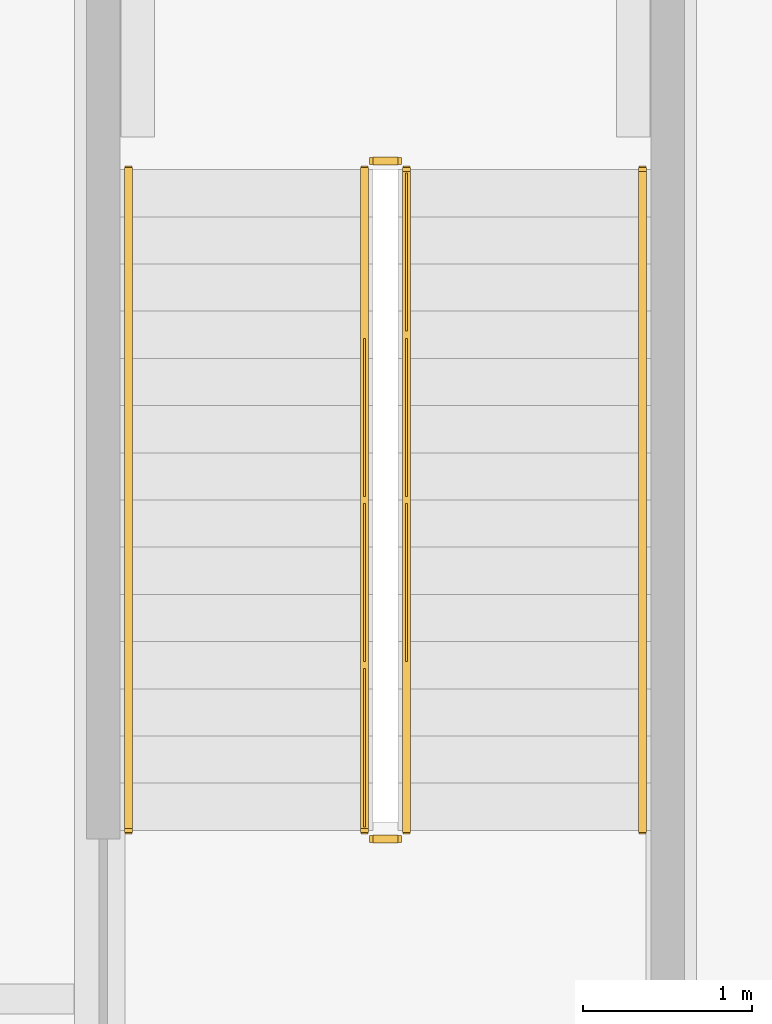
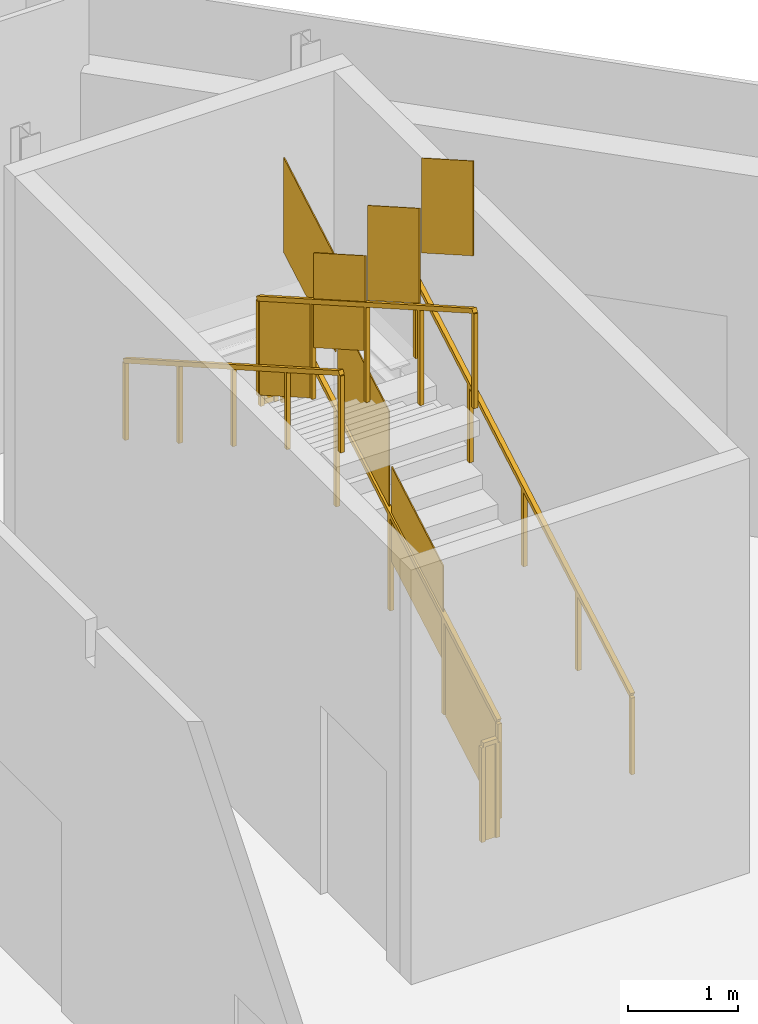
# One storey, part 26 of 26: 6 railings.
"""IFC4 building model written with IfcOpenShell, lengths in metres."""

from ifc_helpers import new_model, si_unit, direction, frame, origin, origin_2d, place, context, subcontext, project, spatial, polyline, rectangle, outline, extrude, material, type_object, element, save


model = new_model("IFC4")

# Units and contexts
model_context = context("Model", 3, precision=1e-05, world=origin(), true_north=direction((0.0, 1.0)))
body_context = subcontext(model_context, "Body", "Model", "MODEL_VIEW")
ifc_project = project(units=[si_unit("LENGTHUNIT", "METRE"), si_unit("AREAUNIT", "SQUARE_METRE"), si_unit("VOLUMEUNIT", "CUBIC_METRE"), si_unit("PLANEANGLEUNIT", "RADIAN"), si_unit("MASSUNIT", "GRAM", prefix="KILO")], contexts=[model_context])

# Site, building, storey
site_placement = place(None, origin())
site = spatial("IfcSite", under=ifc_project, at=site_placement, CompositionType="ELEMENT")
building_placement = place(site_placement, origin())
building = spatial("IfcBuilding", under=site, at=building_placement, Name="Cairn Pilgrim Tower", CompositionType="ELEMENT")
storey_placement = place(building_placement, frame((0.0, 0.0, 21.0)))
storey = spatial("IfcBuildingStorey", under=building, at=storey_placement, Name="L03", CompositionType="ELEMENT", Elevation=21.0)

# Railings
ifc_material = material(Name="Painted steel", Category="steel")
railing_type_1 = type_object("IfcRailingType", Name="PODIUM STAIR GUARD 1100", PredefinedType="GUARDRAIL", material=ifc_material)
railing_1_placement = place(storey_placement, frame((32.699951171875, 20.199951171875, 0.159912109375)))
element("IfcRailing", 1, at=railing_1_placement, inside=storey, type_object=railing_type_1, Name="L03 ST-ES4 stair guard 1", PredefinedType="GUARDRAIL", context=body_context, shape_type="SweptSolid", body=[
    extrude(rectangle(XDim=0.048095703125, YDim=0.048095703125, at=origin_2d()), frame((0.0, 0.0, 1.076171875), z_axis=(0.0, 0.86825312469, 0.496121468458), x_axis=(-1.0, 0.0, 0.0)), (0.0, 0.0, 1.0), 4.514892578125),
    extrude(rectangle(XDim=0.0419921875, YDim=0.0419921875, at=origin_2d()), origin(), (0.0, 0.0, 1.0), 1.052001953125),
    extrude(rectangle(XDim=0.0419921875, YDim=0.0419921875, at=origin_2d()), frame((0.0, 0.97998046875, 0.56005859375)), (0.0, 0.0, 1.0), 1.052001953125),
    extrude(rectangle(XDim=0.0419921875, YDim=0.0419921875, at=origin_2d()), frame((0.0, 1.9599609375, 1.1201171875)), (0.0, 0.0, 1.0), 1.052001953125),
    extrude(rectangle(XDim=0.0419921875, YDim=0.0419921875, at=origin_2d()), frame((0.0, 2.940185546875, 1.679931640625)), (0.0, 0.0, 1.0), 1.052001953125),
    extrude(rectangle(XDim=0.0419921875, YDim=0.0419921875, at=origin_2d()), frame((0.0, 3.920166015625, 2.239990234375)), (0.0, 0.0, 1.0), 1.052001953125),
    extrude(outline(polyline([(0.02099609375, 0.011962890625), (0.958984375, 0.548095703125), (0.958984375, 1.60009765625), (0.02099609375, 1.06396484375), (0.02099609375, 0.011962890625)])), frame((-0.005859375, 0.0, 0.0), z_axis=(1.0, 0.0, 0.0), x_axis=(0.0, 1.0, 0.0)), (0.0, 0.0, 1.0), 0.011962890625),
    extrude(outline(polyline([(0.02099609375, 0.572021484375), (0.958984375, 1.10791015625), (0.958984375, 2.159912109375), (0.02099609375, 1.6240234375), (0.02099609375, 0.572021484375)])), frame((-0.005859375, 0.97998046875, 0.56005859375), z_axis=(1.0, 0.0, 0.0), x_axis=(0.0, 1.0, 0.0)), (0.0, 0.0, 1.0), 0.011962890625),
    extrude(outline(polyline([(0.02099609375, 1.132080078125), (0.958984375, 1.66796875), (0.958984375, 2.719970703125), (0.02099609375, 2.18408203125), (0.02099609375, 1.132080078125)])), frame((-0.005859375, 1.9599609375, 1.1201171875), z_axis=(1.0, 0.0, 0.0), x_axis=(0.0, 1.0, 0.0)), (0.0, 0.0, 1.0), 0.011962890625),
    extrude(outline(polyline([(0.02099609375, 1.69189453125), (0.958984375, 2.22802734375), (0.958984375, 3.280029296875), (0.02099609375, 2.743896484375), (0.02099609375, 1.69189453125)])), frame((-0.005859375, 2.940185546875, 1.679931640625), z_axis=(1.0, 0.0, 0.0), x_axis=(0.0, 1.0, 0.0)), (0.0, 0.0, 1.0), 0.011962890625),
])
railing_2_placement = place(storey_placement, frame((32.64990234375, 24.169921875, 2.39990234375)))
element("IfcRailing", 2, at=railing_2_placement, inside=storey, type_object=railing_type_1, Name="L03 ST-ES4 stair guard 2", PredefinedType="GUARDRAIL", context=body_context, shape_type="SweptSolid", body=[
    extrude(rectangle(XDim=0.048095703125, YDim=0.048095703125, at=origin_2d()), frame((0.0, 0.0, 1.076171875), z_axis=(-1.0, 0.0, 0.0), x_axis=(0.0, -1.0, 0.0)), (0.0, 0.0, 1.0), 0.14990234375),
    extrude(rectangle(XDim=0.0419921875, YDim=0.0419921875, at=origin_2d()), origin(), (0.0, 0.0, 1.0), 1.052001953125),
    extrude(rectangle(XDim=0.0419921875, YDim=0.0419921875, at=origin_2d()), frame((-0.14990234375, 0.0, 0.0)), (0.0, 0.0, 1.0), 1.052001953125),
    extrude(outline(polyline([(0.02099609375, 0.0), (0.12890625, 0.0), (0.12890625, 1.052001953125), (0.02099609375, 1.052001953125), (0.02099609375, 0.0)])), frame((0.0, -0.005859375, 0.0), z_axis=(0.0, 1.0, 0.0), x_axis=(-1.0, 0.0, 0.0)), (0.0, 0.0, 1.0), 0.011962890625),
])
railing_3_placement = place(storey_placement, frame((32.449951171875, 24.1201171875, 2.56005859375)))
element("IfcRailing", 3, at=railing_3_placement, inside=storey, type_object=railing_type_1, Name="L03 ST-ES4 stair guard 3", PredefinedType="GUARDRAIL", context=body_context, shape_type="SweptSolid", body=[
    extrude(rectangle(XDim=0.048095703125, YDim=0.048095703125, at=origin_2d()), frame((0.0, 0.0, 1.076171875), z_axis=(0.0, -0.86825312469, 0.496121468458), x_axis=(1.0, 0.0, 0.0)), (0.0, 0.0, 1.0), 4.514892578125),
    extrude(rectangle(XDim=0.0419921875, YDim=0.0419921875, at=origin_2d()), origin(), (0.0, 0.0, 1.0), 1.052001953125),
    extrude(rectangle(XDim=0.0419921875, YDim=0.0419921875, at=origin_2d()), frame((0.0, -0.97998046875, 0.56005859375)), (0.0, 0.0, 1.0), 1.052001953125),
    extrude(rectangle(XDim=0.0419921875, YDim=0.0419921875, at=origin_2d()), frame((0.0, -1.9599609375, 1.1201171875)), (0.0, 0.0, 1.0), 1.052001953125),
    extrude(rectangle(XDim=0.0419921875, YDim=0.0419921875, at=origin_2d()), frame((0.0, -2.940185546875, 1.679931640625)), (0.0, 0.0, 1.0), 1.052001953125),
    extrude(rectangle(XDim=0.0419921875, YDim=0.0419921875, at=origin_2d()), frame((0.0, -3.920166015625, 2.239990234375)), (0.0, 0.0, 1.0), 1.052001953125),
    extrude(outline(polyline([(0.02099609375, 0.011962890625), (0.958984375, 0.548095703125), (0.958984375, 1.60009765625), (0.02099609375, 1.06396484375), (0.02099609375, 0.011962890625)])), frame((0.005859375, 0.0, 0.0), z_axis=(-1.0, 0.0, 0.0), x_axis=(0.0, -1.0, 0.0)), (0.0, 0.0, 1.0), 0.011962890625),
    extrude(outline(polyline([(0.02099609375, 0.572021484375), (0.958984375, 1.10791015625), (0.958984375, 2.159912109375), (0.02099609375, 1.6240234375), (0.02099609375, 0.572021484375)])), frame((0.005859375, -0.97998046875, 0.56005859375), z_axis=(-1.0, 0.0, 0.0), x_axis=(0.0, -1.0, 0.0)), (0.0, 0.0, 1.0), 0.011962890625),
    extrude(outline(polyline([(0.02099609375, 1.132080078125), (0.958984375, 1.66796875), (0.958984375, 2.719970703125), (0.02099609375, 2.18408203125), (0.02099609375, 1.132080078125)])), frame((0.005859375, -1.9599609375, 1.1201171875), z_axis=(-1.0, 0.0, 0.0), x_axis=(0.0, -1.0, 0.0)), (0.0, 0.0, 1.0), 0.011962890625),
    extrude(outline(polyline([(0.02099609375, 1.69189453125), (0.958984375, 2.22802734375), (0.958984375, 3.280029296875), (0.02099609375, 2.743896484375), (0.02099609375, 1.69189453125)])), frame((0.005859375, -2.940185546875, 1.679931640625), z_axis=(-1.0, 0.0, 0.0), x_axis=(0.0, -1.0, 0.0)), (0.0, 0.0, 1.0), 0.011962890625),
])
railing_4_placement = place(storey_placement, frame((32.64990234375, 20.14990234375, 0.0)))
element("IfcRailing", 4, at=railing_4_placement, inside=storey, type_object=railing_type_1, Name="L03 ST-ES4 stair guard 4", PredefinedType="GUARDRAIL", context=body_context, shape_type="SweptSolid", body=[
    extrude(rectangle(XDim=0.048095703125, YDim=0.048095703125, at=origin_2d()), frame((0.0, 0.0, 1.076171875), z_axis=(-1.0, 0.0, 0.0), x_axis=(0.0, -1.0, 0.0)), (0.0, 0.0, 1.0), 0.14990234375),
    extrude(rectangle(XDim=0.0419921875, YDim=0.0419921875, at=origin_2d()), origin(), (0.0, 0.0, 1.0), 1.052001953125),
    extrude(rectangle(XDim=0.0419921875, YDim=0.0419921875, at=origin_2d()), frame((-0.14990234375, 0.0, 0.0)), (0.0, 0.0, 1.0), 1.052001953125),
    extrude(outline(polyline([(0.02099609375, 0.0), (0.12890625, 0.0), (0.12890625, 1.052001953125), (0.02099609375, 1.052001953125), (0.02099609375, 0.0)])), frame((0.0, -0.005859375, 0.0), z_axis=(0.0, 1.0, 0.0), x_axis=(-1.0, 0.0, 0.0)), (0.0, 0.0, 1.0), 0.011962890625),
])
railing_type_2 = type_object("IfcRailingType", Name="PODIUM STAIR HANDRAIL 900", PredefinedType="HANDRAIL", material=ifc_material)
railing_5_placement = place(storey_placement, frame((34.10009765625, 20.199951171875, 0.159912109375)))
element("IfcRailing", 5, at=railing_5_placement, inside=storey, type_object=railing_type_2, Name="L03 ST-ES4 stair handrail 1", PredefinedType="HANDRAIL", context=body_context, shape_type="SweptSolid", body=[
    extrude(rectangle(XDim=0.048095703125, YDim=0.048095703125, at=origin_2d()), frame((0.0, 0.0, 0.8759765625), z_axis=(0.0, 0.86825312469, 0.496121468458), x_axis=(-1.0, 0.0, 0.0)), (0.0, 0.0, 1.0), 4.514892578125),
    extrude(rectangle(XDim=0.0419921875, YDim=0.0419921875, at=origin_2d()), origin(), (0.0, 0.0, 1.0), 0.851806640625),
    extrude(rectangle(XDim=0.0419921875, YDim=0.0419921875, at=origin_2d()), frame((0.0, 0.97998046875, 0.56005859375)), (0.0, 0.0, 1.0), 0.851806640625),
    extrude(rectangle(XDim=0.0419921875, YDim=0.0419921875, at=origin_2d()), frame((0.0, 1.9599609375, 1.1201171875)), (0.0, 0.0, 1.0), 0.851806640625),
    extrude(rectangle(XDim=0.0419921875, YDim=0.0419921875, at=origin_2d()), frame((0.0, 2.940185546875, 1.679931640625)), (0.0, 0.0, 1.0), 0.851806640625),
    extrude(rectangle(XDim=0.0419921875, YDim=0.0419921875, at=origin_2d()), frame((0.0, 3.920166015625, 2.239990234375)), (0.0, 0.0, 1.0), 0.851806640625),
])
railing_6_placement = place(storey_placement, frame((31.050048828125, 24.1201171875, 2.56005859375)))
element("IfcRailing", 6, at=railing_6_placement, inside=storey, type_object=railing_type_2, Name="L03 ST-ES4 stair handrail 2", PredefinedType="HANDRAIL", context=body_context, shape_type="SweptSolid", body=[
    extrude(rectangle(XDim=0.048095703125, YDim=0.048095703125, at=origin_2d()), frame((0.0, 0.0, 0.8759765625), z_axis=(0.0, -0.86825312469, 0.496121468458), x_axis=(1.0, 0.0, 0.0)), (0.0, 0.0, 1.0), 4.514892578125),
    extrude(rectangle(XDim=0.0419921875, YDim=0.0419921875, at=origin_2d()), origin(), (0.0, 0.0, 1.0), 0.851806640625),
    extrude(rectangle(XDim=0.0419921875, YDim=0.0419921875, at=origin_2d()), frame((0.0, -0.97998046875, 0.56005859375)), (0.0, 0.0, 1.0), 0.851806640625),
    extrude(rectangle(XDim=0.0419921875, YDim=0.0419921875, at=origin_2d()), frame((0.0, -1.9599609375, 1.1201171875)), (0.0, 0.0, 1.0), 0.851806640625),
    extrude(rectangle(XDim=0.0419921875, YDim=0.0419921875, at=origin_2d()), frame((0.0, -2.940185546875, 1.679931640625)), (0.0, 0.0, 1.0), 0.851806640625),
    extrude(rectangle(XDim=0.0419921875, YDim=0.0419921875, at=origin_2d()), frame((0.0, -3.920166015625, 2.239990234375)), (0.0, 0.0, 1.0), 0.851806640625),
])

save(model, "model.ifc")
